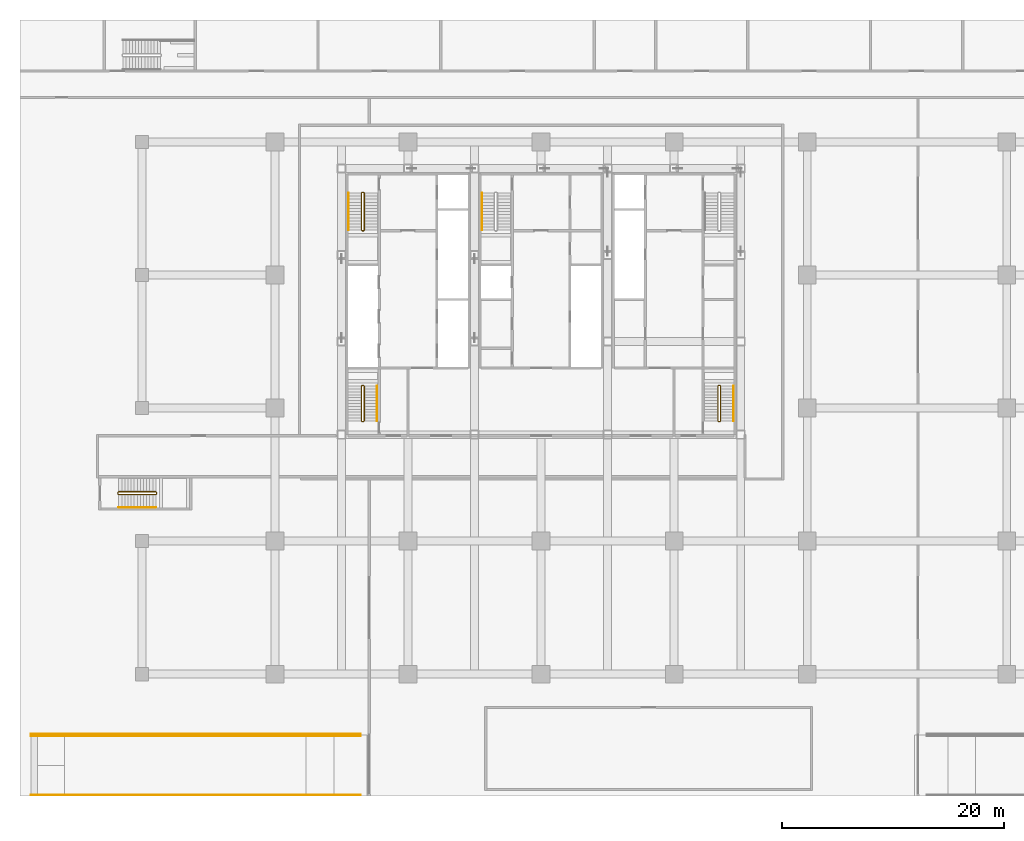
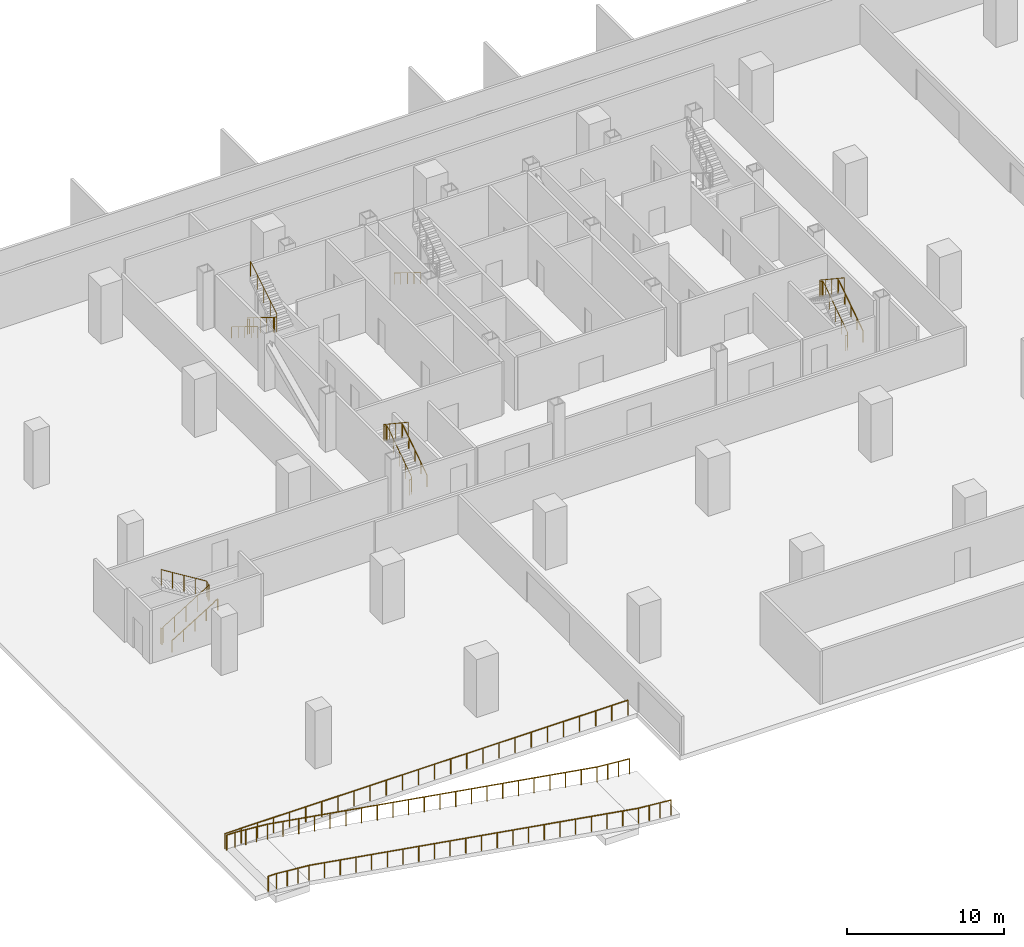
# One storey, part 13 of 15: 12 railings.
"""IFC4 building model written with IfcOpenShell, lengths in metres."""

from ifc_helpers import new_model, si_unit, direction, frame, origin, origin_2d, place, context, subcontext, project, spatial, circle, extrude, material, type_object, element, save


model = new_model("IFC4")

# Units and contexts
model_context = context("Model", 3, precision=1e-05, world=origin(), true_north=direction((0.0, 1.0)))
body_context = subcontext(model_context, "Body", "Model", "MODEL_VIEW")
ifc_project = project(units=[si_unit("LENGTHUNIT", "METRE"), si_unit("AREAUNIT", "SQUARE_METRE"), si_unit("VOLUMEUNIT", "CUBIC_METRE"), si_unit("PLANEANGLEUNIT", "RADIAN"), si_unit("MASSUNIT", "GRAM", prefix="KILO")], contexts=[model_context])

# Site, building, storey
site_placement = place(None, origin())
site = spatial("IfcSite", under=ifc_project, at=site_placement, CompositionType="ELEMENT")
building_placement = place(site_placement, origin())
building = spatial("IfcBuilding", under=site, at=building_placement, Name="Sorahane Residences", CompositionType="ELEMENT")
storey_placement = place(building_placement, frame((0.0, 0.0, -9.0)))
storey = spatial("IfcBuildingStorey", under=building, at=storey_placement, Name="B2", CompositionType="ELEMENT", Elevation=-9.0)

# Railings
ifc_material_1 = material(Name="Steel Q355B", Category="steel")
railing_type_1 = type_object("IfcRailingType", Name="Ramp opening guard 1200 Steel Q355B", PredefinedType="GUARDRAIL", material=ifc_material_1)
railing_1_placement = place(storey_placement, frame((-22.0, -10.89990234375, 0.0)))
element("IfcRailing", 1, at=railing_1_placement, inside=storey, type_object=railing_type_1, Name="B2 ramp flight guard south", PredefinedType="GUARDRAIL", context=body_context, shape_type="SweptSolid", body=[
    extrude(circle(Radius=0.02392578125, at=origin_2d()), frame((0.0, 0.0, 1.17578125), z_axis=(1.0, 0.0, 0.0), x_axis=(0.0, 1.0, 0.0)), (0.0, 0.0, 1.0), 0.60009765625),
    extrude(circle(Radius=0.02392578125, at=origin_2d()), frame((0.60009765625, 0.0, 1.17578125), z_axis=(0.996547156423, 0.0, -0.083028700011), x_axis=(0.0, 1.0, 0.0)), (0.0, 0.0, 1.0), 2.408203125),
    extrude(circle(Radius=0.02392578125, at=origin_2d()), frame((3.0, 0.0, 0.97607421875), z_axis=(0.986393655987, 0.0, -0.164400594367), x_axis=(0.0, 1.0, 0.0)), (0.0, 0.0, 1.0), 24.63525390625),
    extrude(circle(Radius=0.02392578125, at=origin_2d()), frame((27.300048828125, 0.0, -3.07421875), z_axis=(0.996547156423, 0.0, -0.083028700011), x_axis=(0.0, 1.0, 0.0)), (0.0, 0.0, 1.0), 2.408203125),
    extrude(circle(Radius=0.02099609375, at=origin_2d()), origin(), (0.0, 0.0, 1.0), 1.15185546875),
    extrude(circle(Radius=0.02099609375, at=origin_2d()), frame((0.60009765625, 0.0, 0.0)), (0.0, 0.0, 1.0), 1.15185546875),
    extrude(circle(Radius=0.02099609375, at=origin_2d()), frame((1.400146484375, 0.0, -0.066650390625)), (0.0, 0.0, 1.0), 1.15185546875),
    extrude(circle(Radius=0.02099609375, at=origin_2d()), frame((2.199951171875, 0.0, -0.13330078125)), (0.0, 0.0, 1.0), 1.15185546875),
    extrude(circle(Radius=0.02099609375, at=origin_2d()), frame((3.0, 0.0, -0.199951171875)), (0.0, 0.0, 1.0), 1.15185546875),
    extrude(circle(Radius=0.02099609375, at=origin_2d()), frame((4.1572265625, 0.0, -0.392822265625)), (0.0, 0.0, 1.0), 1.15185546875),
    extrude(circle(Radius=0.02099609375, at=origin_2d()), frame((5.314208984375, 0.0, -0.585693359375)), (0.0, 0.0, 1.0), 1.15185546875),
    extrude(circle(Radius=0.02099609375, at=origin_2d()), frame((6.471435546875, 0.0, -0.778564453125)), (0.0, 0.0, 1.0), 1.15185546875),
    extrude(circle(Radius=0.02099609375, at=origin_2d()), frame((7.628662109375, 0.0, -0.971435546875)), (0.0, 0.0, 1.0), 1.15185546875),
    extrude(circle(Radius=0.02099609375, at=origin_2d()), frame((8.78564453125, 0.0, -1.164306640625)), (0.0, 0.0, 1.0), 1.15185546875),
    extrude(circle(Radius=0.02099609375, at=origin_2d()), frame((9.94287109375, 0.0, -1.357177734375)), (0.0, 0.0, 1.0), 1.15185546875),
    extrude(circle(Radius=0.02099609375, at=origin_2d()), frame((11.10009765625, 0.0, -1.550048828125)), (0.0, 0.0, 1.0), 1.15185546875),
    extrude(circle(Radius=0.02099609375, at=origin_2d()), frame((12.257080078125, 0.0, -1.742919921875)), (0.0, 0.0, 1.0), 1.15185546875),
    extrude(circle(Radius=0.02099609375, at=origin_2d()), frame((13.414306640625, 0.0, -1.935791015625)), (0.0, 0.0, 1.0), 1.15185546875),
    extrude(circle(Radius=0.02099609375, at=origin_2d()), frame((14.571533203125, 0.0, -2.128662109375)), (0.0, 0.0, 1.0), 1.15185546875),
    extrude(circle(Radius=0.02099609375, at=origin_2d()), frame((15.728515625, 0.0, -2.3212890625)), (0.0, 0.0, 1.0), 1.15185546875),
    extrude(circle(Radius=0.02099609375, at=origin_2d()), frame((16.8857421875, 0.0, -2.51416015625)), (0.0, 0.0, 1.0), 1.15185546875),
    extrude(circle(Radius=0.02099609375, at=origin_2d()), frame((18.04296875, 0.0, -2.70703125)), (0.0, 0.0, 1.0), 1.15185546875),
    extrude(circle(Radius=0.02099609375, at=origin_2d()), frame((19.199951171875, 0.0, -2.89990234375)), (0.0, 0.0, 1.0), 1.15185546875),
    extrude(circle(Radius=0.02099609375, at=origin_2d()), frame((20.357177734375, 0.0, -3.0927734375)), (0.0, 0.0, 1.0), 1.15185546875),
    extrude(circle(Radius=0.02099609375, at=origin_2d()), frame((21.514404296875, 0.0, -3.28564453125)), (0.0, 0.0, 1.0), 1.15185546875),
    extrude(circle(Radius=0.02099609375, at=origin_2d()), frame((22.67138671875, 0.0, -3.478515625)), (0.0, 0.0, 1.0), 1.15185546875),
    extrude(circle(Radius=0.02099609375, at=origin_2d()), frame((23.82861328125, 0.0, -3.67138671875)), (0.0, 0.0, 1.0), 1.15185546875),
    extrude(circle(Radius=0.02099609375, at=origin_2d()), frame((24.98583984375, 0.0, -3.8642578125)), (0.0, 0.0, 1.0), 1.15185546875),
    extrude(circle(Radius=0.02099609375, at=origin_2d()), frame((26.142822265625, 0.0, -4.05712890625)), (0.0, 0.0, 1.0), 1.15185546875),
    extrude(circle(Radius=0.02099609375, at=origin_2d()), frame((27.300048828125, 0.0, -4.25)), (0.0, 0.0, 1.0), 1.15185546875),
    extrude(circle(Radius=0.02099609375, at=origin_2d()), frame((28.10009765625, 0.0, -4.316650390625)), (0.0, 0.0, 1.0), 1.15185546875),
    extrude(circle(Radius=0.02099609375, at=origin_2d()), frame((28.89990234375, 0.0, -4.38330078125)), (0.0, 0.0, 1.0), 1.15185546875),
    extrude(circle(Radius=0.02099609375, at=origin_2d()), frame((29.699951171875, 0.0, -4.449951171875)), (0.0, 0.0, 1.0), 1.15185546875),
])
railing_2_placement = place(storey_placement, frame((-22.0, -5.60009765625, 0.0)))
element("IfcRailing", 2, at=railing_2_placement, inside=storey, type_object=railing_type_1, Name="B2 ramp flight guard north", PredefinedType="GUARDRAIL", context=body_context, shape_type="SweptSolid", body=[
    extrude(circle(Radius=0.02392578125, at=origin_2d()), frame((0.0, 0.0, 1.17578125), z_axis=(1.0, 0.0, 0.0), x_axis=(0.0, 1.0, 0.0)), (0.0, 0.0, 1.0), 0.60009765625),
    extrude(circle(Radius=0.02392578125, at=origin_2d()), frame((0.60009765625, 0.0, 1.17578125), z_axis=(0.996547156423, 0.0, -0.083028700011), x_axis=(0.0, 1.0, 0.0)), (0.0, 0.0, 1.0), 2.408203125),
    extrude(circle(Radius=0.02392578125, at=origin_2d()), frame((3.0, 0.0, 0.97607421875), z_axis=(0.986393655987, 0.0, -0.164400594367), x_axis=(0.0, 1.0, 0.0)), (0.0, 0.0, 1.0), 24.63525390625),
    extrude(circle(Radius=0.02392578125, at=origin_2d()), frame((27.300048828125, 0.0, -3.07421875), z_axis=(0.996547156423, 0.0, -0.083028700011), x_axis=(0.0, 1.0, 0.0)), (0.0, 0.0, 1.0), 2.408203125),
    extrude(circle(Radius=0.02099609375, at=origin_2d()), origin(), (0.0, 0.0, 1.0), 1.15185546875),
    extrude(circle(Radius=0.02099609375, at=origin_2d()), frame((0.60009765625, 0.0, 0.0)), (0.0, 0.0, 1.0), 1.15185546875),
    extrude(circle(Radius=0.02099609375, at=origin_2d()), frame((1.400146484375, 0.0, -0.066650390625)), (0.0, 0.0, 1.0), 1.15185546875),
    extrude(circle(Radius=0.02099609375, at=origin_2d()), frame((2.199951171875, 0.0, -0.13330078125)), (0.0, 0.0, 1.0), 1.15185546875),
    extrude(circle(Radius=0.02099609375, at=origin_2d()), frame((3.0, 0.0, -0.199951171875)), (0.0, 0.0, 1.0), 1.15185546875),
    extrude(circle(Radius=0.02099609375, at=origin_2d()), frame((4.1572265625, 0.0, -0.392822265625)), (0.0, 0.0, 1.0), 1.15185546875),
    extrude(circle(Radius=0.02099609375, at=origin_2d()), frame((5.314208984375, 0.0, -0.585693359375)), (0.0, 0.0, 1.0), 1.15185546875),
    extrude(circle(Radius=0.02099609375, at=origin_2d()), frame((6.471435546875, 0.0, -0.778564453125)), (0.0, 0.0, 1.0), 1.15185546875),
    extrude(circle(Radius=0.02099609375, at=origin_2d()), frame((7.628662109375, 0.0, -0.971435546875)), (0.0, 0.0, 1.0), 1.15185546875),
    extrude(circle(Radius=0.02099609375, at=origin_2d()), frame((8.78564453125, 0.0, -1.164306640625)), (0.0, 0.0, 1.0), 1.15185546875),
    extrude(circle(Radius=0.02099609375, at=origin_2d()), frame((9.94287109375, 0.0, -1.357177734375)), (0.0, 0.0, 1.0), 1.15185546875),
    extrude(circle(Radius=0.02099609375, at=origin_2d()), frame((11.10009765625, 0.0, -1.550048828125)), (0.0, 0.0, 1.0), 1.15185546875),
    extrude(circle(Radius=0.02099609375, at=origin_2d()), frame((12.257080078125, 0.0, -1.742919921875)), (0.0, 0.0, 1.0), 1.15185546875),
    extrude(circle(Radius=0.02099609375, at=origin_2d()), frame((13.414306640625, 0.0, -1.935791015625)), (0.0, 0.0, 1.0), 1.15185546875),
    extrude(circle(Radius=0.02099609375, at=origin_2d()), frame((14.571533203125, 0.0, -2.128662109375)), (0.0, 0.0, 1.0), 1.15185546875),
    extrude(circle(Radius=0.02099609375, at=origin_2d()), frame((15.728515625, 0.0, -2.3212890625)), (0.0, 0.0, 1.0), 1.15185546875),
    extrude(circle(Radius=0.02099609375, at=origin_2d()), frame((16.8857421875, 0.0, -2.51416015625)), (0.0, 0.0, 1.0), 1.15185546875),
    extrude(circle(Radius=0.02099609375, at=origin_2d()), frame((18.04296875, 0.0, -2.70703125)), (0.0, 0.0, 1.0), 1.15185546875),
    extrude(circle(Radius=0.02099609375, at=origin_2d()), frame((19.199951171875, 0.0, -2.89990234375)), (0.0, 0.0, 1.0), 1.15185546875),
    extrude(circle(Radius=0.02099609375, at=origin_2d()), frame((20.357177734375, 0.0, -3.0927734375)), (0.0, 0.0, 1.0), 1.15185546875),
    extrude(circle(Radius=0.02099609375, at=origin_2d()), frame((21.514404296875, 0.0, -3.28564453125)), (0.0, 0.0, 1.0), 1.15185546875),
    extrude(circle(Radius=0.02099609375, at=origin_2d()), frame((22.67138671875, 0.0, -3.478515625)), (0.0, 0.0, 1.0), 1.15185546875),
    extrude(circle(Radius=0.02099609375, at=origin_2d()), frame((23.82861328125, 0.0, -3.67138671875)), (0.0, 0.0, 1.0), 1.15185546875),
    extrude(circle(Radius=0.02099609375, at=origin_2d()), frame((24.98583984375, 0.0, -3.8642578125)), (0.0, 0.0, 1.0), 1.15185546875),
    extrude(circle(Radius=0.02099609375, at=origin_2d()), frame((26.142822265625, 0.0, -4.05712890625)), (0.0, 0.0, 1.0), 1.15185546875),
    extrude(circle(Radius=0.02099609375, at=origin_2d()), frame((27.300048828125, 0.0, -4.25)), (0.0, 0.0, 1.0), 1.15185546875),
    extrude(circle(Radius=0.02099609375, at=origin_2d()), frame((28.10009765625, 0.0, -4.316650390625)), (0.0, 0.0, 1.0), 1.15185546875),
    extrude(circle(Radius=0.02099609375, at=origin_2d()), frame((28.89990234375, 0.0, -4.38330078125)), (0.0, 0.0, 1.0), 1.15185546875),
    extrude(circle(Radius=0.02099609375, at=origin_2d()), frame((29.699951171875, 0.0, -4.449951171875)), (0.0, 0.0, 1.0), 1.15185546875),
])
railing_3_placement = place(storey_placement, frame((-22.0, -5.39990234375, 0.0)))
element("IfcRailing", 3, at=railing_3_placement, inside=storey, type_object=railing_type_1, Name="B2 ramp opening guard", PredefinedType="GUARDRAIL", context=body_context, shape_type="SweptSolid", body=[
    extrude(circle(Radius=0.02392578125, at=origin_2d()), frame((0.0, 0.0, 1.17578125), z_axis=(1.0, 0.0, 0.0), x_axis=(0.0, 1.0, 0.0)), (0.0, 0.0, 1.0), 29.699951171875),
    extrude(circle(Radius=0.02099609375, at=origin_2d()), origin(), (0.0, 0.0, 1.0), 1.15185546875),
    extrude(circle(Radius=0.02099609375, at=origin_2d()), frame((1.18798828125, 0.0, 0.0)), (0.0, 0.0, 1.0), 1.15185546875),
    extrude(circle(Radius=0.02099609375, at=origin_2d()), frame((2.3759765625, 0.0, 0.0)), (0.0, 0.0, 1.0), 1.15185546875),
    extrude(circle(Radius=0.02099609375, at=origin_2d()), frame((3.56396484375, 0.0, 0.0)), (0.0, 0.0, 1.0), 1.15185546875),
    extrude(circle(Radius=0.02099609375, at=origin_2d()), frame((4.751953125, 0.0, 0.0)), (0.0, 0.0, 1.0), 1.15185546875),
    extrude(circle(Radius=0.02099609375, at=origin_2d()), frame((5.93994140625, 0.0, 0.0)), (0.0, 0.0, 1.0), 1.15185546875),
    extrude(circle(Radius=0.02099609375, at=origin_2d()), frame((7.1279296875, 0.0, 0.0)), (0.0, 0.0, 1.0), 1.15185546875),
    extrude(circle(Radius=0.02099609375, at=origin_2d()), frame((8.31591796875, 0.0, 0.0)), (0.0, 0.0, 1.0), 1.15185546875),
    extrude(circle(Radius=0.02099609375, at=origin_2d()), frame((9.50390625, 0.0, 0.0)), (0.0, 0.0, 1.0), 1.15185546875),
    extrude(circle(Radius=0.02099609375, at=origin_2d()), frame((10.69189453125, 0.0, 0.0)), (0.0, 0.0, 1.0), 1.15185546875),
    extrude(circle(Radius=0.02099609375, at=origin_2d()), frame((11.8798828125, 0.0, 0.0)), (0.0, 0.0, 1.0), 1.15185546875),
    extrude(circle(Radius=0.02099609375, at=origin_2d()), frame((13.06787109375, 0.0, 0.0)), (0.0, 0.0, 1.0), 1.15185546875),
    extrude(circle(Radius=0.02099609375, at=origin_2d()), frame((14.255859375, 0.0, 0.0)), (0.0, 0.0, 1.0), 1.15185546875),
    extrude(circle(Radius=0.02099609375, at=origin_2d()), frame((15.444091796875, 0.0, 0.0)), (0.0, 0.0, 1.0), 1.15185546875),
    extrude(circle(Radius=0.02099609375, at=origin_2d()), frame((16.632080078125, 0.0, 0.0)), (0.0, 0.0, 1.0), 1.15185546875),
    extrude(circle(Radius=0.02099609375, at=origin_2d()), frame((17.820068359375, 0.0, 0.0)), (0.0, 0.0, 1.0), 1.15185546875),
    extrude(circle(Radius=0.02099609375, at=origin_2d()), frame((19.008056640625, 0.0, 0.0)), (0.0, 0.0, 1.0), 1.15185546875),
    extrude(circle(Radius=0.02099609375, at=origin_2d()), frame((20.196044921875, 0.0, 0.0)), (0.0, 0.0, 1.0), 1.15185546875),
    extrude(circle(Radius=0.02099609375, at=origin_2d()), frame((21.384033203125, 0.0, 0.0)), (0.0, 0.0, 1.0), 1.15185546875),
    extrude(circle(Radius=0.02099609375, at=origin_2d()), frame((22.572021484375, 0.0, 0.0)), (0.0, 0.0, 1.0), 1.15185546875),
    extrude(circle(Radius=0.02099609375, at=origin_2d()), frame((23.760009765625, 0.0, 0.0)), (0.0, 0.0, 1.0), 1.15185546875),
    extrude(circle(Radius=0.02099609375, at=origin_2d()), frame((24.947998046875, 0.0, 0.0)), (0.0, 0.0, 1.0), 1.15185546875),
    extrude(circle(Radius=0.02099609375, at=origin_2d()), frame((26.135986328125, 0.0, 0.0)), (0.0, 0.0, 1.0), 1.15185546875),
    extrude(circle(Radius=0.02099609375, at=origin_2d()), frame((27.323974609375, 0.0, 0.0)), (0.0, 0.0, 1.0), 1.15185546875),
    extrude(circle(Radius=0.02099609375, at=origin_2d()), frame((28.511962890625, 0.0, 0.0)), (0.0, 0.0, 1.0), 1.15185546875),
    extrude(circle(Radius=0.02099609375, at=origin_2d()), frame((29.699951171875, 0.0, 0.0)), (0.0, 0.0, 1.0), 1.15185546875),
])
ifc_material_2 = material(Name="Steel Q355B", Category="steel")
railing_type_2 = type_object("IfcRailingType", Name="Stair guard 1200 Steel Q355B", PredefinedType="GUARDRAIL", material=ifc_material_2)
railing_4_placement = place(storey_placement, frame((8.0, 43.449951171875, 0.0)))
element("IfcRailing", 4, at=railing_4_placement, inside=storey, type_object=railing_type_2, Name="B2 S1 stair guard 1", PredefinedType="GUARDRAIL", context=body_context, shape_type="SweptSolid", body=[
    extrude(circle(Radius=0.02392578125, at=origin_2d()), frame((0.0, 0.0, 1.17578125), z_axis=(-1.0, 0.0, 0.0), x_axis=(0.0, -1.0, 0.0)), (0.0, 0.0, 1.0), 0.14990234375),
    extrude(circle(Radius=0.02392578125, at=origin_2d()), frame((-0.14990234375, 0.0, 1.17578125), z_axis=(-0.267629722418, -0.267629722418, 0.925607186314), x_axis=(0.707106781187, -0.707106781187, 0.0)), (0.0, 0.0, 1.0), 0.18701171875),
    extrude(circle(Radius=0.02392578125, at=origin_2d()), frame((-0.199951171875, -0.050048828125, 1.34912109375), z_axis=(0.0, -0.850606129759, 0.525803396734), x_axis=(1.0, 0.0, 0.0)), (0.0, 0.0, 1.0), 3.949951171875),
    extrude(circle(Radius=0.02392578125, at=origin_2d()), frame((-0.199951171875, -3.409912109375, 3.42578125), z_axis=(0.707106781187, -0.707106781187, 0.0), x_axis=(0.707106781187, 0.707106781187, 0.0)), (0.0, 0.0, 1.0), 0.07080078125),
    extrude(circle(Radius=0.02392578125, at=origin_2d()), frame((-0.14990234375, -3.4599609375, 3.42578125), z_axis=(1.0, 0.0, 0.0), x_axis=(0.0, 1.0, 0.0)), (0.0, 0.0, 1.0), 0.14990234375),
    extrude(circle(Radius=0.02392578125, at=origin_2d()), frame((0.0, -3.4599609375, 3.42578125), z_axis=(0.267629722418, 0.267629722418, 0.925607186314), x_axis=(-0.707106781187, 0.707106781187, 0.0)), (0.0, 0.0, 1.0), 0.18701171875),
    extrude(circle(Radius=0.02392578125, at=origin_2d()), frame((0.050048828125, -3.409912109375, 3.59912109375), z_axis=(0.0, 0.850606129759, 0.525803396734), x_axis=(-1.0, 0.0, 0.0)), (0.0, 0.0, 1.0), 3.949951171875),
    extrude(circle(Radius=0.02099609375, at=origin_2d()), origin(), (0.0, 0.0, 1.0), 1.15185546875),
    extrude(circle(Radius=0.02099609375, at=origin_2d()), frame((-0.14990234375, 0.0, 0.0)), (0.0, 0.0, 1.0), 1.15185546875),
    extrude(circle(Radius=0.02099609375, at=origin_2d()), frame((-0.199951171875, -0.050048828125, 0.173095703125)), (0.0, 0.0, 1.0), 1.15185546875),
    extrude(circle(Radius=0.02099609375, at=origin_2d()), frame((-0.199951171875, -0.89013671875, 0.6923828125)), (0.0, 0.0, 1.0), 1.15185546875),
    extrude(circle(Radius=0.02099609375, at=origin_2d()), frame((-0.199951171875, -1.72998046875, 1.21142578125)), (0.0, 0.0, 1.0), 1.15185546875),
    extrude(circle(Radius=0.02099609375, at=origin_2d()), frame((-0.199951171875, -2.56982421875, 1.730712890625)), (0.0, 0.0, 1.0), 1.15185546875),
    extrude(circle(Radius=0.02099609375, at=origin_2d()), frame((-0.199951171875, -3.409912109375, 2.25)), (0.0, 0.0, 1.0), 1.15185546875),
    extrude(circle(Radius=0.02099609375, at=origin_2d()), frame((-0.14990234375, -3.4599609375, 2.25)), (0.0, 0.0, 1.0), 1.15185546875),
    extrude(circle(Radius=0.02099609375, at=origin_2d()), frame((0.0, -3.4599609375, 2.25)), (0.0, 0.0, 1.0), 1.15185546875),
    extrude(circle(Radius=0.02099609375, at=origin_2d()), frame((0.050048828125, -3.409912109375, 2.423095703125)), (0.0, 0.0, 1.0), 1.15185546875),
    extrude(circle(Radius=0.02099609375, at=origin_2d()), frame((0.050048828125, -2.56982421875, 2.9423828125)), (0.0, 0.0, 1.0), 1.15185546875),
    extrude(circle(Radius=0.02099609375, at=origin_2d()), frame((0.050048828125, -1.72998046875, 3.46142578125)), (0.0, 0.0, 1.0), 1.15185546875),
    extrude(circle(Radius=0.02099609375, at=origin_2d()), frame((0.050048828125, -0.89013671875, 3.980712890625)), (0.0, 0.0, 1.0), 1.15185546875),
    extrude(circle(Radius=0.02099609375, at=origin_2d()), frame((0.050048828125, -0.050048828125, 4.5)), (0.0, 0.0, 1.0), 1.15185546875),
])
railing_5_placement = place(storey_placement, frame((7.85009765625, 22.800048828125, 0.0)))
element("IfcRailing", 5, at=railing_5_placement, inside=storey, type_object=railing_type_2, Name="B2 S4 stair guard 1", PredefinedType="GUARDRAIL", context=body_context, shape_type="SweptSolid", body=[
    extrude(circle(Radius=0.02392578125, at=origin_2d()), frame((0.0, 0.0, 1.17578125), z_axis=(1.0, 0.0, 0.0), x_axis=(0.0, 1.0, 0.0)), (0.0, 0.0, 1.0), 0.14990234375),
    extrude(circle(Radius=0.02392578125, at=origin_2d()), frame((0.14990234375, 0.0, 1.17578125), z_axis=(0.267629722418, 0.267629722418, 0.925607186314), x_axis=(-0.707106781187, 0.707106781187, 0.0)), (0.0, 0.0, 1.0), 0.18701171875),
    extrude(circle(Radius=0.02392578125, at=origin_2d()), frame((0.199951171875, 0.050048828125, 1.34912109375), z_axis=(0.0, 0.832420903958, 0.554143879018), x_axis=(-1.0, 0.0, 0.0)), (0.0, 0.0, 1.0), 3.748046875),
    extrude(circle(Radius=0.02392578125, at=origin_2d()), frame((0.199951171875, 3.169921875, 3.42578125), z_axis=(-0.707106781187, 0.707106781187, 0.0), x_axis=(-0.707106781187, -0.707106781187, 0.0)), (0.0, 0.0, 1.0), 0.07080078125),
    extrude(circle(Radius=0.02392578125, at=origin_2d()), frame((0.14990234375, 3.219970703125, 3.42578125), z_axis=(-1.0, 0.0, 0.0), x_axis=(0.0, -1.0, 0.0)), (0.0, 0.0, 1.0), 0.14990234375),
    extrude(circle(Radius=0.02392578125, at=origin_2d()), frame((0.0, 3.219970703125, 3.42578125), z_axis=(-0.267629722418, -0.267629722418, 0.925607186314), x_axis=(0.707106781187, -0.707106781187, 0.0)), (0.0, 0.0, 1.0), 0.18701171875),
    extrude(circle(Radius=0.02392578125, at=origin_2d()), frame((-0.050048828125, 3.169921875, 3.59912109375), z_axis=(0.0, -0.832420903958, 0.554143879018), x_axis=(1.0, 0.0, 0.0)), (0.0, 0.0, 1.0), 3.748046875),
    extrude(circle(Radius=0.02099609375, at=origin_2d()), origin(), (0.0, 0.0, 1.0), 1.15185546875),
    extrude(circle(Radius=0.02099609375, at=origin_2d()), frame((0.14990234375, 0.0, 0.0)), (0.0, 0.0, 1.0), 1.15185546875),
    extrude(circle(Radius=0.02099609375, at=origin_2d()), frame((0.199951171875, 0.050048828125, 0.173095703125)), (0.0, 0.0, 1.0), 1.15185546875),
    extrude(circle(Radius=0.02099609375, at=origin_2d()), frame((0.199951171875, 0.830078125, 0.6923828125)), (0.0, 0.0, 1.0), 1.15185546875),
    extrude(circle(Radius=0.02099609375, at=origin_2d()), frame((0.199951171875, 1.60986328125, 1.21142578125)), (0.0, 0.0, 1.0), 1.15185546875),
    extrude(circle(Radius=0.02099609375, at=origin_2d()), frame((0.199951171875, 2.389892578125, 1.730712890625)), (0.0, 0.0, 1.0), 1.15185546875),
    extrude(circle(Radius=0.02099609375, at=origin_2d()), frame((0.199951171875, 3.169921875, 2.25)), (0.0, 0.0, 1.0), 1.15185546875),
    extrude(circle(Radius=0.02099609375, at=origin_2d()), frame((0.14990234375, 3.219970703125, 2.25)), (0.0, 0.0, 1.0), 1.15185546875),
    extrude(circle(Radius=0.02099609375, at=origin_2d()), frame((0.0, 3.219970703125, 2.25)), (0.0, 0.0, 1.0), 1.15185546875),
    extrude(circle(Radius=0.02099609375, at=origin_2d()), frame((-0.050048828125, 3.169921875, 2.423095703125)), (0.0, 0.0, 1.0), 1.15185546875),
    extrude(circle(Radius=0.02099609375, at=origin_2d()), frame((-0.050048828125, 2.389892578125, 2.9423828125)), (0.0, 0.0, 1.0), 1.15185546875),
    extrude(circle(Radius=0.02099609375, at=origin_2d()), frame((-0.050048828125, 1.60986328125, 3.46142578125)), (0.0, 0.0, 1.0), 1.15185546875),
    extrude(circle(Radius=0.02099609375, at=origin_2d()), frame((-0.050048828125, 0.830078125, 3.980712890625)), (0.0, 0.0, 1.0), 1.15185546875),
    extrude(circle(Radius=0.02099609375, at=origin_2d()), frame((-0.050048828125, 0.050048828125, 4.5)), (0.0, 0.0, 1.0), 1.15185546875),
])
railing_6_placement = place(storey_placement, frame((40.0, 22.800048828125, 0.0)))
element("IfcRailing", 6, at=railing_6_placement, inside=storey, type_object=railing_type_2, Name="B2 S5 stair guard 1", PredefinedType="GUARDRAIL", context=body_context, shape_type="SweptSolid", body=[
    extrude(circle(Radius=0.02392578125, at=origin_2d()), frame((0.0, 0.0, 1.17578125), z_axis=(1.0, 0.0, 0.0), x_axis=(0.0, 1.0, 0.0)), (0.0, 0.0, 1.0), 0.14990234375),
    extrude(circle(Radius=0.02392578125, at=origin_2d()), frame((0.14990234375, 0.0, 1.17578125), z_axis=(0.267629722418, 0.267629722418, 0.925607186314), x_axis=(-0.707106781187, 0.707106781187, 0.0)), (0.0, 0.0, 1.0), 0.18701171875),
    extrude(circle(Radius=0.02392578125, at=origin_2d()), frame((0.199951171875, 0.050048828125, 1.34912109375), z_axis=(0.0, 0.832420903958, 0.554143879018), x_axis=(-1.0, 0.0, 0.0)), (0.0, 0.0, 1.0), 3.748046875),
    extrude(circle(Radius=0.02392578125, at=origin_2d()), frame((0.199951171875, 3.169921875, 3.42578125), z_axis=(-0.707106781187, 0.707106781187, 0.0), x_axis=(-0.707106781187, -0.707106781187, 0.0)), (0.0, 0.0, 1.0), 0.07080078125),
    extrude(circle(Radius=0.02392578125, at=origin_2d()), frame((0.14990234375, 3.219970703125, 3.42578125), z_axis=(-1.0, 0.0, 0.0), x_axis=(0.0, -1.0, 0.0)), (0.0, 0.0, 1.0), 0.14990234375),
    extrude(circle(Radius=0.02392578125, at=origin_2d()), frame((0.0, 3.219970703125, 3.42578125), z_axis=(-0.267629722418, -0.267629722418, 0.925607186314), x_axis=(0.707106781187, -0.707106781187, 0.0)), (0.0, 0.0, 1.0), 0.18701171875),
    extrude(circle(Radius=0.02392578125, at=origin_2d()), frame((-0.050048828125, 3.169921875, 3.59912109375), z_axis=(0.0, -0.832420903958, 0.554143879018), x_axis=(1.0, 0.0, 0.0)), (0.0, 0.0, 1.0), 3.748046875),
    extrude(circle(Radius=0.02099609375, at=origin_2d()), origin(), (0.0, 0.0, 1.0), 1.15185546875),
    extrude(circle(Radius=0.02099609375, at=origin_2d()), frame((0.14990234375, 0.0, 0.0)), (0.0, 0.0, 1.0), 1.15185546875),
    extrude(circle(Radius=0.02099609375, at=origin_2d()), frame((0.199951171875, 0.050048828125, 0.173095703125)), (0.0, 0.0, 1.0), 1.15185546875),
    extrude(circle(Radius=0.02099609375, at=origin_2d()), frame((0.199951171875, 0.830078125, 0.6923828125)), (0.0, 0.0, 1.0), 1.15185546875),
    extrude(circle(Radius=0.02099609375, at=origin_2d()), frame((0.199951171875, 1.60986328125, 1.21142578125)), (0.0, 0.0, 1.0), 1.15185546875),
    extrude(circle(Radius=0.02099609375, at=origin_2d()), frame((0.199951171875, 2.389892578125, 1.730712890625)), (0.0, 0.0, 1.0), 1.15185546875),
    extrude(circle(Radius=0.02099609375, at=origin_2d()), frame((0.199951171875, 3.169921875, 2.25)), (0.0, 0.0, 1.0), 1.15185546875),
    extrude(circle(Radius=0.02099609375, at=origin_2d()), frame((0.14990234375, 3.219970703125, 2.25)), (0.0, 0.0, 1.0), 1.15185546875),
    extrude(circle(Radius=0.02099609375, at=origin_2d()), frame((0.0, 3.219970703125, 2.25)), (0.0, 0.0, 1.0), 1.15185546875),
    extrude(circle(Radius=0.02099609375, at=origin_2d()), frame((-0.050048828125, 3.169921875, 2.423095703125)), (0.0, 0.0, 1.0), 1.15185546875),
    extrude(circle(Radius=0.02099609375, at=origin_2d()), frame((-0.050048828125, 2.389892578125, 2.9423828125)), (0.0, 0.0, 1.0), 1.15185546875),
    extrude(circle(Radius=0.02099609375, at=origin_2d()), frame((-0.050048828125, 1.60986328125, 3.46142578125)), (0.0, 0.0, 1.0), 1.15185546875),
    extrude(circle(Radius=0.02099609375, at=origin_2d()), frame((-0.050048828125, 0.830078125, 3.980712890625)), (0.0, 0.0, 1.0), 1.15185546875),
    extrude(circle(Radius=0.02099609375, at=origin_2d()), frame((-0.050048828125, 0.050048828125, 4.5)), (0.0, 0.0, 1.0), 1.15185546875),
])
railing_7_placement = place(storey_placement, frame((-14.14990234375, 16.39990234375, 0.0)))
element("IfcRailing", 7, at=railing_7_placement, inside=storey, type_object=railing_type_2, Name="B2 BS3 stair guard 1", PredefinedType="GUARDRAIL", context=body_context, shape_type="SweptSolid", body=[
    extrude(circle(Radius=0.02392578125, at=origin_2d()), frame((0.0, 0.0, 1.23583984375), z_axis=(0.0, -1.0, 0.0), x_axis=(1.0, 0.0, 0.0)), (0.0, 0.0, 1.0), 0.14990234375),
    extrude(circle(Radius=0.02392578125, at=origin_2d()), frame((0.0, -0.14990234375, 1.23583984375), z_axis=(0.266417085129, -0.267723051232, 0.925929967433), x_axis=(0.708833529934, 0.705375805398, 0.0)), (0.0, 0.0, 1.0), 0.18701171875),
    extrude(circle(Radius=0.02392578125, at=origin_2d()), frame((0.0498046875, -0.199951171875, 1.4091796875), z_axis=(0.850623216509, 0.0, 0.525775754039), x_axis=(0.0, 1.0, 0.0)), (0.0, 0.0, 1.0), 3.9501953125),
    extrude(circle(Radius=0.02392578125, at=origin_2d()), frame((3.409912109375, -0.199951171875, 3.48583984375), z_axis=(0.707106781187, 0.707106781187, 0.0), x_axis=(-0.707106781187, 0.707106781187, 0.0)), (0.0, 0.0, 1.0), 0.07080078125),
    extrude(circle(Radius=0.02392578125, at=origin_2d()), frame((3.4599609375, -0.14990234375, 3.48583984375), z_axis=(0.0, 1.0, 0.0), x_axis=(-1.0, 0.0, 0.0)), (0.0, 0.0, 1.0), 0.14990234375),
    extrude(circle(Radius=0.02392578125, at=origin_2d()), frame((3.4599609375, 0.0, 3.48583984375), z_axis=(-0.267629722418, 0.267629722418, 0.925607186314), x_axis=(-0.707106781187, -0.707106781187, 0.0)), (0.0, 0.0, 1.0), 0.18701171875),
    extrude(circle(Radius=0.02392578125, at=origin_2d()), frame((3.409912109375, 0.050048828125, 3.6591796875), z_axis=(-0.850623216509, 0.0, 0.525775754039), x_axis=(0.0, -1.0, 0.0)), (0.0, 0.0, 1.0), 3.9501953125),
    extrude(circle(Radius=0.02099609375, at=origin_2d()), origin(), (0.0, 0.0, 1.0), 1.2119140625),
    extrude(circle(Radius=0.02099609375, at=origin_2d()), frame((0.0, -0.14990234375, 0.0)), (0.0, 0.0, 1.0), 1.2119140625),
    extrude(circle(Radius=0.02099609375, at=origin_2d()), frame((0.0498046875, -0.199951171875, 0.173095703125)), (0.0, 0.0, 1.0), 1.2119140625),
    extrude(circle(Radius=0.02099609375, at=origin_2d()), frame((0.889892578125, -0.199951171875, 0.6923828125)), (0.0, 0.0, 1.0), 1.2119140625),
    extrude(circle(Radius=0.02099609375, at=origin_2d()), frame((1.72998046875, -0.199951171875, 1.21142578125)), (0.0, 0.0, 1.0), 1.2119140625),
    extrude(circle(Radius=0.02099609375, at=origin_2d()), frame((2.56982421875, -0.199951171875, 1.730712890625)), (0.0, 0.0, 1.0), 1.2119140625),
    extrude(circle(Radius=0.02099609375, at=origin_2d()), frame((3.409912109375, -0.199951171875, 2.25)), (0.0, 0.0, 1.0), 1.2119140625),
    extrude(circle(Radius=0.02099609375, at=origin_2d()), frame((3.4599609375, -0.14990234375, 2.25)), (0.0, 0.0, 1.0), 1.2119140625),
    extrude(circle(Radius=0.02099609375, at=origin_2d()), frame((3.4599609375, 0.0, 2.25)), (0.0, 0.0, 1.0), 1.2119140625),
    extrude(circle(Radius=0.02099609375, at=origin_2d()), frame((3.409912109375, 0.050048828125, 2.423095703125)), (0.0, 0.0, 1.0), 1.2119140625),
    extrude(circle(Radius=0.02099609375, at=origin_2d()), frame((2.56982421875, 0.050048828125, 2.9423828125)), (0.0, 0.0, 1.0), 1.2119140625),
    extrude(circle(Radius=0.02099609375, at=origin_2d()), frame((1.72998046875, 0.050048828125, 3.46142578125)), (0.0, 0.0, 1.0), 1.2119140625),
    extrude(circle(Radius=0.02099609375, at=origin_2d()), frame((0.889892578125, 0.050048828125, 3.980712890625)), (0.0, 0.0, 1.0), 1.2119140625),
    extrude(circle(Radius=0.02099609375, at=origin_2d()), frame((0.0498046875, 0.050048828125, 4.5)), (0.0, 0.0, 1.0), 1.2119140625),
])
ifc_material_3 = material(Name="Steel Q355B", Category="steel")
railing_type_3 = type_object("IfcRailingType", Name="Stair handrail 900 Steel Q355B", PredefinedType="HANDRAIL", material=ifc_material_3)
for number, where, name in (
    (8, (6.64990234375, 43.39990234375, 0.173095703125), "B2 S1 stair handrail 1"),
    (9, (18.64990234375, 43.39990234375, 0.173095703125), "B2 S3 stair handrail 1"),
):
    element("IfcRailing", number, at=place(storey_placement, frame(where)), inside=storey, type_object=railing_type_3, Name=name, PredefinedType="HANDRAIL", context=body_context, shape_type="SweptSolid", body=[
        extrude(circle(Radius=0.02392578125, at=origin_2d()), frame((0.0, 0.0, 0.8759765625), z_axis=(0.0, -0.850606129759, 0.525803396734), x_axis=(1.0, 0.0, 0.0)), (0.0, 0.0, 1.0), 3.949951171875),
        extrude(circle(Radius=0.02099609375, at=origin_2d()), origin(), (0.0, 0.0, 1.0), 0.851806640625),
        extrude(circle(Radius=0.02099609375, at=origin_2d()), frame((0.0, -0.83984375, 0.519287109375)), (0.0, 0.0, 1.0), 0.851806640625),
        extrude(circle(Radius=0.02099609375, at=origin_2d()), frame((0.0, -1.679931640625, 1.03857421875)), (0.0, 0.0, 1.0), 0.851806640625),
        extrude(circle(Radius=0.02099609375, at=origin_2d()), frame((0.0, -2.52001953125, 1.5576171875)), (0.0, 0.0, 1.0), 0.851806640625),
        extrude(circle(Radius=0.02099609375, at=origin_2d()), frame((0.0, -3.35986328125, 2.076904296875)), (0.0, 0.0, 1.0), 0.851806640625),
    ])
for number, where, name in (
    (10, (9.199951171875, 22.85009765625, 0.173095703125), "B2 S4 stair handrail 1"),
    (11, (41.35009765625, 22.85009765625, 0.173095703125), "B2 S5 stair handrail 1"),
):
    element("IfcRailing", number, at=place(storey_placement, frame(where)), inside=storey, type_object=railing_type_3, Name=name, PredefinedType="HANDRAIL", context=body_context, shape_type="SweptSolid", body=[
        extrude(circle(Radius=0.02392578125, at=origin_2d()), frame((0.0, 0.0, 0.8759765625), z_axis=(0.0, 0.832420903958, 0.554143879018), x_axis=(-1.0, 0.0, 0.0)), (0.0, 0.0, 1.0), 3.748046875),
        extrude(circle(Radius=0.02099609375, at=origin_2d()), origin(), (0.0, 0.0, 1.0), 0.851806640625),
        extrude(circle(Radius=0.02099609375, at=origin_2d()), frame((0.0, 0.780029296875, 0.519287109375)), (0.0, 0.0, 1.0), 0.851806640625),
        extrude(circle(Radius=0.02099609375, at=origin_2d()), frame((0.0, 1.56005859375, 1.03857421875)), (0.0, 0.0, 1.0), 0.851806640625),
        extrude(circle(Radius=0.02099609375, at=origin_2d()), frame((0.0, 2.33984375, 1.5576171875)), (0.0, 0.0, 1.0), 0.851806640625),
        extrude(circle(Radius=0.02099609375, at=origin_2d()), frame((0.0, 3.119873046875, 2.076904296875)), (0.0, 0.0, 1.0), 0.851806640625),
    ])
railing_8_placement = place(storey_placement, frame((-14.10009765625, 15.050048828125, 0.173095703125)))
element("IfcRailing", 12, at=railing_8_placement, inside=storey, type_object=railing_type_3, Name="B2 BS3 stair handrail 1", PredefinedType="HANDRAIL", context=body_context, shape_type="SweptSolid", body=[
    extrude(circle(Radius=0.02392578125, at=origin_2d()), frame((0.0, 0.0, 0.8759765625), z_axis=(0.850623216509, 0.0, 0.525775754039), x_axis=(0.0, 1.0, 0.0)), (0.0, 0.0, 1.0), 3.9501953125),
    extrude(circle(Radius=0.02099609375, at=origin_2d()), origin(), (0.0, 0.0, 1.0), 0.851806640625),
    extrude(circle(Radius=0.02099609375, at=origin_2d()), frame((0.840087890625, 0.0, 0.519287109375)), (0.0, 0.0, 1.0), 0.851806640625),
    extrude(circle(Radius=0.02099609375, at=origin_2d()), frame((1.68017578125, 0.0, 1.03857421875)), (0.0, 0.0, 1.0), 0.851806640625),
    extrude(circle(Radius=0.02099609375, at=origin_2d()), frame((2.52001953125, 0.0, 1.5576171875)), (0.0, 0.0, 1.0), 0.851806640625),
    extrude(circle(Radius=0.02099609375, at=origin_2d()), frame((3.360107421875, 0.0, 2.076904296875)), (0.0, 0.0, 1.0), 0.851806640625),
])

save(model, "model.ifc")
